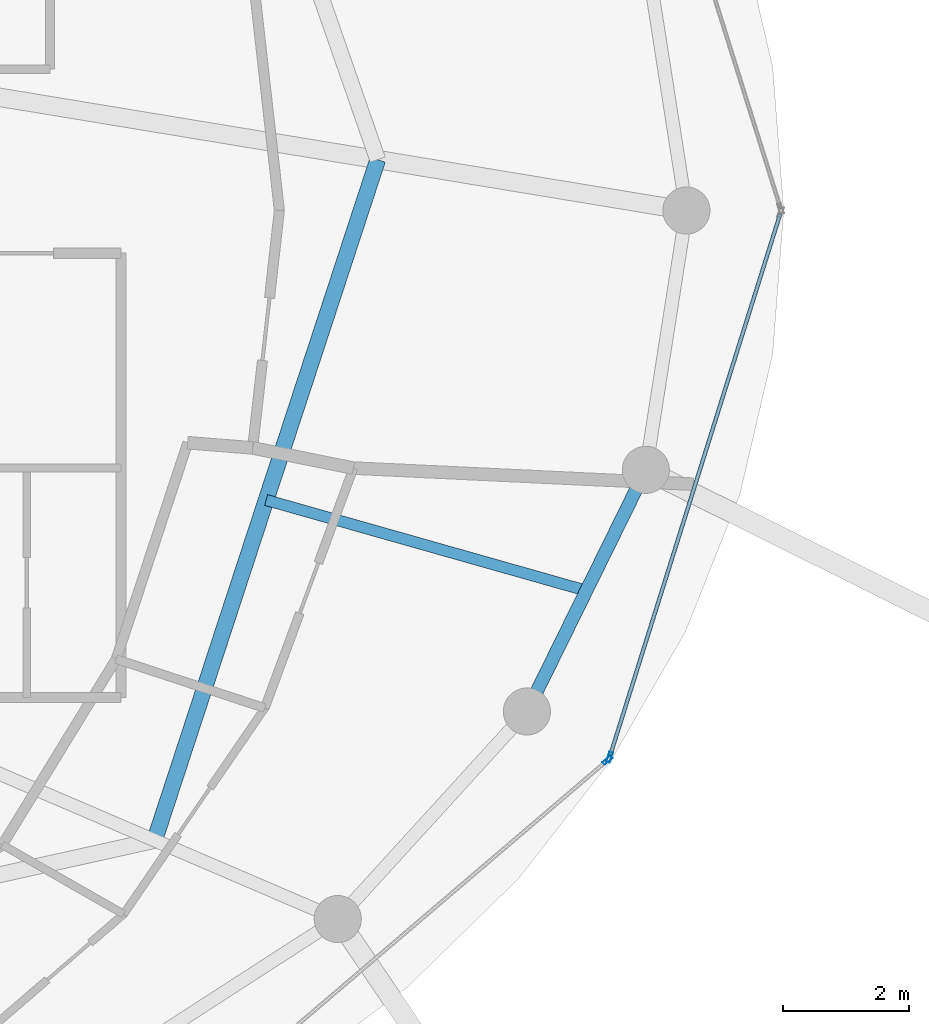
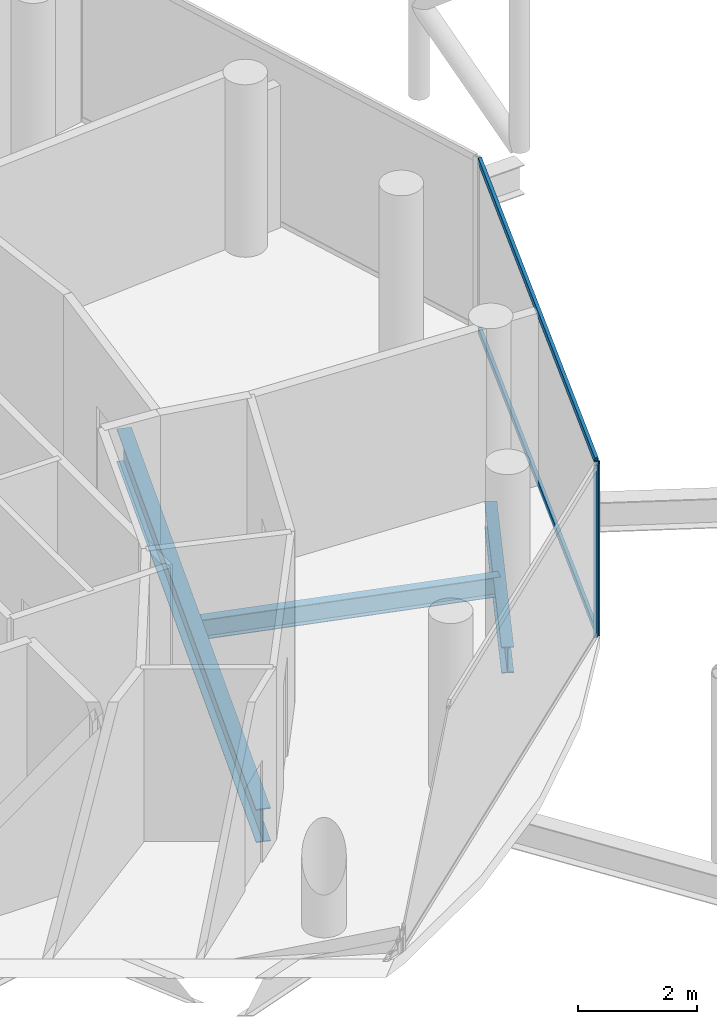
# One storey, part 10 of 24: 4 members, 3 beams, 2 elements without a shape of their own.
"""IFC4 building model written with IfcOpenShell, lengths in metres."""

import ifcopenshell
import ifcopenshell.guid

model = None  # the IFC model being written
_history = None  # IfcOwnerHistory: only IFC2X3 demands one
_inside = {}  # id of a spatial element -> (the spatial element, [elements in it])
_under = {}  # id of a project, library or spatial element -> (it, [spatial elements below it])
_declared = {}  # id of a project -> (the project, [libraries it declares])
_typed = {}  # id of a type object -> (the type object, [elements of that type])
_made_of = {}  # id of a material, layer set ... -> (it, [elements and type objects made of it])


def new_model(schema):
    """Start an empty IFC model of exactly this schema.

    Asked for "IFC4X3", IfcOpenShell would pick the latest addendum, in which some entities
    have other attributes; the version numbers below select the first issue.
    IFC2X3 requires an IfcOwnerHistory on every rooted entity: one is made here for all.
    """
    global model, _history
    if schema == "IFC4X3":
        model = ifcopenshell.file(schema_version=(4, 3, 0, 0))
    else:
        model = ifcopenshell.file(schema=schema)
    _inside.clear()
    _under.clear()
    _declared.clear()
    _typed.clear()
    _made_of.clear()
    _history = None
    if model.schema == "IFC2X3":
        org = make("IfcOrganization", Name="unknown")
        user = make(
            "IfcPersonAndOrganization",
            ThePerson=make("IfcPerson", FamilyName="unknown"),
            TheOrganization=org,
        )
        app = make(
            "IfcApplication",
            ApplicationDeveloper=org,
            Version="unknown",
            ApplicationFullName="unknown",
            ApplicationIdentifier="unknown",
        )
        _history = make(
            "IfcOwnerHistory",
            OwningUser=user,
            OwningApplication=app,
            ChangeAction="ADDED",
            CreationDate=0,
        )
    return model


def make(cls, **values):
    """One entity of the class cls with the attributes given. An attribute that is None is left unset."""
    return model.create_entity(
        cls, **{name: value for name, value in values.items() if value is not None}
    )


def rooted(cls, **values):
    """An entity with a GlobalId (a new one), such as an element, a storey or a relation."""
    return make(cls, GlobalId=ifcopenshell.guid.new(), OwnerHistory=_history, **values)


def si_unit(unit_type, name, prefix=None):
    """IfcSIUnit, for example si_unit("LENGTHUNIT", "METRE", prefix="MILLI")."""
    return make("IfcSIUnit", UnitType=unit_type, Prefix=prefix, Name=name)


def assignment(units):
    """IfcUnitAssignment: the units of a project."""
    return None if units is None else make("IfcUnitAssignment", Units=units)


def point(xyz):
    """IfcCartesianPoint."""
    return None if xyz is None else make("IfcCartesianPoint", Coordinates=xyz)


def direction(xyz):
    """IfcDirection."""
    return None if xyz is None else make("IfcDirection", DirectionRatios=xyz)


def frame(location, z_axis=None, x_axis=None):
    """IfcAxis2Placement3D, a coordinate frame: its origin and axes. An axis left out is left unset."""
    return make(
        "IfcAxis2Placement3D",
        Location=point(location),
        Axis=direction(z_axis),
        RefDirection=direction(x_axis),
    )


def frame_2d(location, x_axis=None):
    """IfcAxis2Placement2D, a coordinate frame in the plane: its origin and x axis."""
    return make(
        "IfcAxis2Placement2D", Location=point(location), RefDirection=direction(x_axis)
    )


def origin():
    """The frame at (0, 0, 0) with its axes left unset."""
    return frame((0.0, 0.0, 0.0))


def origin_2d():
    """The frame at (0, 0) in the plane with its x axis left unset."""
    return frame_2d((0.0, 0.0))


def place(relative_to, where):
    """IfcLocalPlacement: puts the frame where relative to a parent placement (None: the world)."""
    return make(
        "IfcLocalPlacement", PlacementRelTo=relative_to, RelativePlacement=where
    )


def context(
    kind, dimensions, precision=None, world=None, true_north=None, identifier=None
):
    """IfcGeometricRepresentationContext, for example the 3D "Model" context."""
    return make(
        "IfcGeometricRepresentationContext",
        ContextIdentifier=identifier,
        ContextType=kind,
        CoordinateSpaceDimension=dimensions,
        Precision=precision,
        WorldCoordinateSystem=world,
        TrueNorth=true_north,
    )


def subcontext(parent, identifier, kind, view, scale=None):
    """IfcGeometricRepresentationSubContext, for example "Body" below "Model"."""
    return make(
        "IfcGeometricRepresentationSubContext",
        ContextIdentifier=identifier,
        ContextType=kind,
        ParentContext=parent,
        TargetScale=scale,
        TargetView=view,
    )


def project(units=None, contexts=None):
    """IfcProject with its units and contexts."""
    return rooted(
        "IfcProject",
        Name="project",
        RepresentationContexts=contexts,
        UnitsInContext=assignment(units),
    )


def spatial(cls, under=None, at=None, **own):
    """A site, building, storey or space (cls), placed at a placement, below another one or the project."""
    s = rooted(cls, ObjectPlacement=at, **own)
    if under is not None:
        _under.setdefault(under.id(), (under, []))[1].append(s)
    return s


def profile(cls, at=None, kind="AREA", **sizes):
    """A parametric profile (cls). Its sizes go by their IFC names, for example OverallWidth=200.0."""
    return make(cls, ProfileType=kind, Position=at, **sizes)


def hollow_rectangle(**sizes):
    """IfcRectangleHollowProfileDef."""
    return profile("IfcRectangleHollowProfileDef", **sizes)


def i_section(**sizes):
    """IfcIShapeProfileDef."""
    return profile("IfcIShapeProfileDef", **sizes)


def extrude(swept, where, along, depth):
    """IfcExtrudedAreaSolid: the profile swept, set in the frame where, extruded along a direction by depth."""
    return make(
        "IfcExtrudedAreaSolid",
        SweptArea=swept,
        Position=where,
        ExtrudedDirection=direction(along),
        Depth=depth,
    )


def shape(context_of_items, identifier, shape_type, items):
    """IfcShapeRepresentation: the items that make up one representation, for example the "Body"."""
    return make(
        "IfcShapeRepresentation",
        ContextOfItems=context_of_items,
        RepresentationIdentifier=identifier,
        RepresentationType=shape_type,
        Items=items,
    )


def material(Name=None, Category=None):
    """IfcMaterial."""
    return make("IfcMaterial", Name=Name, Category=Category)


def layer(
    of_material, thickness, ventilated=None, Name=None, Category=None, Priority=None
):
    """IfcMaterialLayer: one layer of a wall or slab, of a material (None: an air gap)."""
    return make(
        "IfcMaterialLayer",
        Material=of_material,
        LayerThickness=thickness,
        IsVentilated=ventilated,
        Name=Name,
        Category=Category,
        Priority=Priority,
    )


def layer_set(layers, Name=None):
    """IfcMaterialLayerSet."""
    return make("IfcMaterialLayerSet", MaterialLayers=layers, LayerSetName=Name)


def material_profile(
    of_material, cross_section, Name=None, Category=None, Priority=None
):
    """IfcMaterialProfile: a cross section and its material."""
    return make(
        "IfcMaterialProfile",
        Name=Name,
        Material=of_material,
        Profile=cross_section,
        Priority=Priority,
        Category=Category,
    )


def profile_set(profiles, Name=None, composite=None):
    """IfcMaterialProfileSet."""
    return make(
        "IfcMaterialProfileSet",
        Name=Name,
        MaterialProfiles=profiles,
        CompositeProfile=composite,
    )


def made_of(thing, what):
    """Note that an element or type object is made of a material, layer set ...; save() writes the relation."""
    if what is not None:
        _made_of.setdefault(what.id(), (what, []))[1].append(thing)
    return thing


def type_object(cls, material=None, **own):
    """A type object (cls), such as IfcWallType, which elements share."""
    return made_of(rooted(cls, **own), material)


def element(
    cls,
    number,
    at=None,
    inside=None,
    cuts=None,
    type_object=None,
    material=None,
    context=None,
    identifier="Body",
    shape_type=None,
    held_by="IfcProductDefinitionShape",
    body=None,
    shapes=None,
    **own,
):
    """One element of the class cls, such as IfcWall. Its Tag is "e" and its number.

    at: its placement. inside: the storey or other place that contains it. cuts: it is an
    opening in that element (IfcRelVoidsElement). A single representation is given by context,
    identifier, shape_type and body (its items); several are given by shapes. held_by: the class
    of the entity that holds the representations. save() writes the other relations.
    """
    e = rooted(cls, Tag="e%d" % number, ObjectPlacement=at, **own)
    if body is not None:
        shapes = [shape(context, identifier, shape_type, body)]
    if shapes is not None:
        e.Representation = make(held_by, Representations=shapes)
    if inside is not None:
        _inside.setdefault(inside.id(), (inside, []))[1].append(e)
    if cuts is not None:
        rooted(
            "IfcRelVoidsElement", RelatingBuildingElement=cuts, RelatedOpeningElement=e
        )
    if type_object is not None:
        _typed.setdefault(type_object.id(), (type_object, []))[1].append(e)
    return made_of(e, material)


def aggregate(whole, parts):
    """IfcRelAggregates: a whole, such as a stair, and the parts it consists of."""
    return rooted("IfcRelAggregates", RelatingObject=whole, RelatedObjects=parts)


def save(model, path):
    """Write the relations noted so far, then the file.

    IfcRelAggregates (storeys below a building ...), IfcRelContainedInSpatialStructure (elements
    in a storey), IfcRelDefinesByType, IfcRelAssociatesMaterial and IfcRelDeclares: one each for
    every whole, place, type object, material and project.
    """
    for whole, parts in _under.values():
        aggregate(whole, parts)
    for where, things in _inside.values():
        rooted(
            "IfcRelContainedInSpatialStructure",
            RelatedElements=things,
            RelatingStructure=where,
        )
    for kind, things in _typed.values():
        rooted("IfcRelDefinesByType", RelatedObjects=things, RelatingType=kind)
    for what, things in _made_of.values():
        rooted("IfcRelAssociatesMaterial", RelatedObjects=things, RelatingMaterial=what)
    for by, libraries in _declared.values():
        rooted("IfcRelDeclares", RelatingContext=by, RelatedDefinitions=libraries)
    model.write(path)


model = new_model("IFC4")

# Units and contexts
model_context = context("Model", 3, precision=1e-05, world=origin(), true_north=direction((0.0, 1.0)))
body_context = subcontext(model_context, "Body", "Model", "MODEL_VIEW")
ifc_project = project(units=[si_unit("LENGTHUNIT", "METRE"), si_unit("AREAUNIT", "SQUARE_METRE"), si_unit("VOLUMEUNIT", "CUBIC_METRE"), si_unit("PLANEANGLEUNIT", "RADIAN"), si_unit("MASSUNIT", "GRAM", prefix="KILO")], contexts=[model_context])

# Site, building, storey
site_placement = place(None, origin())
site = spatial("IfcSite", under=ifc_project, at=site_placement, CompositionType="ELEMENT")
building_placement = place(site_placement, origin())
building = spatial("IfcBuilding", under=site, at=building_placement, Name="Nuhasar Tower", CompositionType="ELEMENT")
storey_placement = place(building_placement, frame((0.0, 0.0, 259.39990234375)))
storey = spatial("IfcBuildingStorey", under=building, at=storey_placement, Name="L64", CompositionType="ELEMENT", Elevation=259.39990234375)

# Beams
ifc_material_1 = material(Name="Steel S355", Category="steel")
ifc_material_profile_1 = material_profile(ifc_material_1, i_section(OverallWidth=0.25390625, OverallDepth=0.68408203125, WebThickness=0.012451171875, FlangeThickness=0.018798828125, at=origin_2d()), Name="W27X94")
ifc_profile_set_1 = profile_set([ifc_material_profile_1], Name="Steel S355")
beam_type_1 = type_object("IfcBeamType", Name="BM-INRING-W27X94", PredefinedType="BEAM", material=ifc_profile_set_1)
beam_1_placement = place(storey_placement, frame((49.48388671875, 16.77392578125, -0.601806640625), z_axis=(0.311483801376, 0.950251462235, 0.0), x_axis=(-0.950251462235, 0.311483801376, 0.0)))
element("IfcBeam", 1, at=beam_1_placement, inside=storey, type_object=beam_type_1, Name="L64 Inner Header Beam 03", PredefinedType="BEAM", context=body_context, shape_type="SweptSolid", body=[
    extrude(i_section(OverallWidth=0.25390625, OverallDepth=0.68408203125, WebThickness=0.012451171875, FlangeThickness=0.018798828125, at=origin_2d()), origin(), (0.0, 0.0, 1.0), 11.403564453125),
])
ifc_material_profile_2 = material_profile(ifc_material_1, i_section(OverallWidth=0.177978515625, OverallDepth=0.406005859375, WebThickness=0.0078125, FlangeThickness=0.0126953125, at=origin_2d()), Name="W16X40")
ifc_profile_set_2 = profile_set([ifc_material_profile_2], Name="Steel S355")
beam_type_2 = type_object("IfcBeamType", Name="BM-JST-W16X40", PredefinedType="JOIST", material=ifc_profile_set_2)
beam_2_placement = place(storey_placement, frame((51.260009765625, 22.19189453125, -0.462890625), z_axis=(0.962154316042, -0.272505178156, 0.0), x_axis=(0.272505178156, 0.962154316042, 0.0)))
element("IfcBeam", 2, at=beam_2_placement, inside=storey, type_object=beam_type_2, Name="L64 Secondary Floor Joist 03", PredefinedType="JOIST", context=body_context, shape_type="SweptSolid", body=[
    extrude(i_section(OverallWidth=0.177978515625, OverallDepth=0.406005859375, WebThickness=0.0078125, FlangeThickness=0.0126953125, at=origin_2d()), origin(), (0.0, 0.0, 1.0), 5.29833984375),
])
ifc_material_profile_3 = material_profile(ifc_material_1, i_section(OverallWidth=0.2099609375, OverallDepth=0.537109375, WebThickness=0.010986328125, FlangeThickness=0.017333984375, at=origin_2d()), Name="W21X68")
ifc_profile_set_3 = profile_set([ifc_material_profile_3], Name="Steel S355")
beam_type_3 = type_object("IfcBeamType", Name="BM-RING-W21X68", PredefinedType="SPANDREL", material=ifc_profile_set_3)
beam_3_placement = place(storey_placement, frame((55.410888671875, 18.824951171875, -0.52880859375), z_axis=(0.441510561726, 0.897256052576, 0.0), x_axis=(-0.897256052576, 0.441510561726, 0.0)))
element("IfcBeam", 3, at=beam_3_placement, inside=storey, type_object=beam_type_3, Name="L64 Perimeter Ring Spandrel 23", PredefinedType="SPANDREL", context=body_context, shape_type="SweptSolid", body=[
    extrude(i_section(OverallWidth=0.2099609375, OverallDepth=0.537109375, WebThickness=0.010986328125, FlangeThickness=0.017333984375, at=origin_2d()), origin(), (0.0, 0.0, 1.0), 4.28759765625),
])

# Curtain wall, member
ifc_material_2 = material(Name="Aluminium 6063-T6", Category="aluminium")
ifc_layer = layer(ifc_material_2, 0.18994140625)
ifc_layer_set = layer_set([ifc_layer], Name="Aluminium 6063-T6")
curtain_wall_type = type_object("IfcCurtainWallType", Name="CW-Z4-PEN", PredefinedType="NOTDEFINED", material=ifc_layer_set)
curtain_wall_1_placement = place(storey_placement, origin())
curtain_wall_1 = element("IfcCurtainWall", 4, at=curtain_wall_1_placement, inside=storey, type_object=curtain_wall_type, Name="L64 Unitised Curtain Wall 11", PredefinedType="NOTDEFINED")
ifc_material_profile_4 = material_profile(ifc_material_2, hollow_rectangle(XDim=0.06005859375, YDim=0.1650390625, WallThickness=0.0048828125, at=origin_2d()), Name="CWM-5")
ifc_profile_set_4 = profile_set([ifc_material_profile_4], Name="Aluminium 6063-T6")
member_type_1 = type_object("IfcMemberType", Name="CW-MUL-S5", PredefinedType="MULLION", material=ifc_profile_set_4)
member_1_placement = place(storey_placement, frame((56.6962890625, 18.050537109375, 0.0), z_axis=(0.0, 0.0, 1.0), x_axis=(-0.649141996205, 0.760667252327, 0.0)))
member_1 = element("IfcMember", 5, at=member_1_placement, type_object=member_type_1, Name="CW-Z4 mullion 2", PredefinedType="MULLION", context=body_context, shape_type="SweptSolid", body=[
    extrude(hollow_rectangle(XDim=0.06005859375, YDim=0.1650390625, WallThickness=0.0048828125, at=origin_2d()), origin(), (0.0, 0.0, 1.0), 3.5400390625),
])
aggregate(curtain_wall_1, [member_1])

# Curtain wall, members
curtain_wall_2_placement = place(storey_placement, origin())
curtain_wall_2 = element("IfcCurtainWall", 6, at=curtain_wall_2_placement, inside=storey, type_object=curtain_wall_type, Name="L64 Unitised Curtain Wall 12", PredefinedType="NOTDEFINED")
member_2_placement = place(storey_placement, frame((56.72802734375, 18.0986328125, 0.0), z_axis=(0.0, 0.0, 1.0), x_axis=(-0.954078526601, 0.299556614146, 0.0)))
member_2 = element("IfcMember", 7, at=member_2_placement, type_object=member_type_1, Name="CW-Z4 mullion 1", PredefinedType="MULLION", context=body_context, shape_type="SweptSolid", body=[
    extrude(hollow_rectangle(XDim=0.06005859375, YDim=0.1650390625, WallThickness=0.0048828125, at=origin_2d()), origin(), (0.0, 0.0, 1.0), 3.5400390625),
])
ifc_material_profile_5 = material_profile(ifc_material_2, hollow_rectangle(XDim=0.06005859375, YDim=0.135009765625, WallThickness=0.00439453125, at=origin_2d()), Name="CWT-5")
ifc_profile_set_5 = profile_set([ifc_material_profile_5], Name="Aluminium 6063-T6")
member_type_2 = type_object("IfcMemberType", Name="CW-TRN-S5", PredefinedType="USERDEFINED", material=ifc_profile_set_5)
member_3_placement = place(storey_placement, frame((56.737060546875, 18.127197265625, 0.030029296875), z_axis=(0.29956014073, 0.954077419335, 0.0), x_axis=(-0.954077419335, 0.29956014073, 0.0)))
member_3 = element("IfcMember", 8, at=member_3_placement, type_object=member_type_2, Name="CW-Z4 transom 1.1", ObjectType="TRANSOM", PredefinedType="USERDEFINED", context=body_context, shape_type="SweptSolid", body=[
    extrude(hollow_rectangle(XDim=0.06005859375, YDim=0.135009765625, WallThickness=0.00439453125, at=origin_2d()), origin(), (0.0, 0.0, 1.0), 9.0302734375),
])
member_4_placement = place(storey_placement, frame((56.737060546875, 18.127197265625, 3.510009765625), z_axis=(0.29956014073, 0.954077419335, 0.0), x_axis=(-0.954077419335, 0.29956014073, 0.0)))
member_4 = element("IfcMember", 9, at=member_4_placement, type_object=member_type_2, Name="CW-Z4 transom 1.2", ObjectType="TRANSOM", PredefinedType="USERDEFINED", context=body_context, shape_type="SweptSolid", body=[
    extrude(hollow_rectangle(XDim=0.06005859375, YDim=0.135009765625, WallThickness=0.00439453125, at=origin_2d()), origin(), (0.0, 0.0, 1.0), 9.0302734375),
])
aggregate(curtain_wall_2, [member_2, member_3, member_4])

save(model, "model.ifc")
